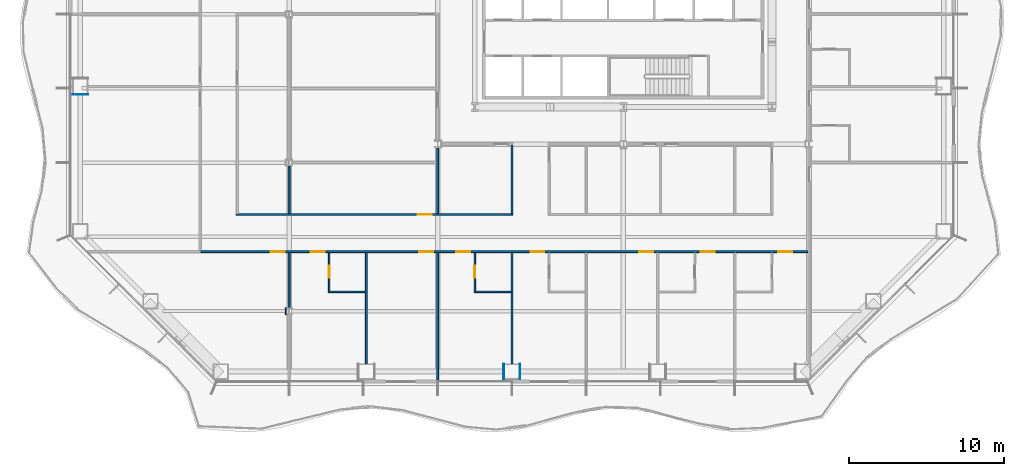
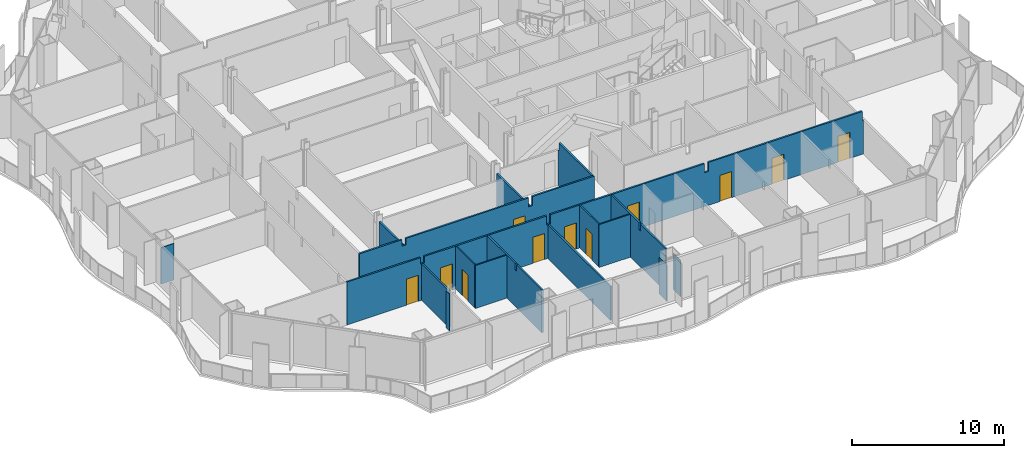
# One storey, part 6 of 21: 17 walls, 11 doors, 11 openings.
"""IFC4 building model written with IfcOpenShell, lengths in metres."""

from ifc_helpers import new_model, si_unit, direction, frame, frame_2d, origin, place, context, subcontext, project, spatial, polyline, rectangle, outline, extrude, material, layer, layer_set, type_object, element, fill, save


model = new_model("IFC4")

# Units and contexts
model_context = context("Model", 3, precision=1e-05, world=origin(), true_north=direction((0.0, 1.0)))
body_context = subcontext(model_context, "Body", "Model", "MODEL_VIEW")
ifc_project = project(units=[si_unit("LENGTHUNIT", "METRE"), si_unit("AREAUNIT", "SQUARE_METRE"), si_unit("VOLUMEUNIT", "CUBIC_METRE"), si_unit("PLANEANGLEUNIT", "RADIAN"), si_unit("MASSUNIT", "GRAM", prefix="KILO")], contexts=[model_context])

# Site, building, storey
site_placement = place(None, origin())
site = spatial("IfcSite", under=ifc_project, at=site_placement, CompositionType="ELEMENT")
building_placement = place(site_placement, origin())
building = spatial("IfcBuilding", under=site, at=building_placement, Name="Cairn Pilgrim Tower", CompositionType="ELEMENT")
storey_placement = place(building_placement, frame((0.0, 0.0, 47.39990234375)))
storey = spatial("IfcBuildingStorey", under=building, at=storey_placement, Name="L09", CompositionType="ELEMENT", Elevation=47.39990234375)

# Wall
ifc_material_1 = material(Name="Gypsum partition")
ifc_layer_1 = layer(ifc_material_1, 0.10009765625)
ifc_layer_set_1 = layer_set([ifc_layer_1], Name="PARTITION 100 DRYWALL")
wall_type_1 = type_object("IfcWallType", Name="PARTITION 100 DRYWALL", PredefinedType="PARTITIONING", material=ifc_layer_set_1)
wall_1_placement = place(storey_placement, frame((-11.864013671875, -17.949951171875, 0.0), z_axis=(0.0, 0.0, 1.0), x_axis=(1.0, 0.0, 0.0)))
element("IfcWall", 1, at=wall_1_placement, inside=storey, type_object=wall_type_1, Name="PARTITION W011", PredefinedType="PARTITIONING", context=body_context, shape_type="SweptSolid", body=[
    extrude(rectangle(XDim=2.387451171875, YDim=0.10009765625, at=frame_2d((1.19384765625, 0.0))), origin(), (0.0, 0.0, 1.0), 3.4501953125),
])

# Wall, opening, door
wall_2_placement = place(storey_placement, frame((-11.81396484375, -17.89990234375, 0.0), z_axis=(0.0, 0.0, 1.0), x_axis=(0.0, 1.0, 0.0)))
wall_2 = element("IfcWall", 2, at=wall_2_placement, inside=storey, type_object=wall_type_1, Name="PARTITION W012", PredefinedType="PARTITIONING", context=body_context, shape_type="SweptSolid", body=[
    extrude(rectangle(XDim=2.4873046875, YDim=0.10009765625, at=frame_2d((1.24365234375, 0.0))), origin(), (0.0, 0.0, 1.0), 3.4501953125),
])
opening_1_placement = place(wall_2_placement, frame((0.85009765625, 0.0, 0.0)))
opening_1 = element("IfcOpeningElement", 3, at=opening_1_placement, cuts=wall_2, Name="Opening 0902E", PredefinedType="OPENING", context=body_context, shape_type="SweptSolid", body=[
    extrude(rectangle(XDim=0.800048828125, YDim=2.10009765625, at=frame_2d((0.39990234375, 1.050048828125))), frame((0.0, 0.06005859375, 0.0), z_axis=(0.0, -1.0, 0.0), x_axis=(1.0, 0.0, 0.0)), (0.0, 0.0, 1.0), 0.1201171875),
])
ifc_material_2 = material(Name="Timber door leaf", Category="wood")
door_type_1 = type_object("IfcDoorType", Name="DOOR 800x2100", OperationType="NOTDEFINED", PredefinedType="DOOR", material=ifc_material_2)
door_1_placement = place(opening_1_placement, frame((0.800048828125, 0.0, 0.0), z_axis=(0.0, 0.0, 1.0), x_axis=(-1.0, 0.0, 0.0)))
door_1 = element("IfcDoor", 4, at=door_1_placement, inside=storey, type_object=door_type_1, Name="DOOR 0902E", OperationType="SINGLE_SWING_RIGHT", OverallHeight=2.10009765625, OverallWidth=0.800048828125, PredefinedType="DOOR", context=body_context, shape_type="SweptSolid", body=[
    extrude(rectangle(XDim=0.800048828125, YDim=2.10009765625, at=frame_2d((0.39990234375, 1.050048828125))), frame((0.0, 0.02490234375, 0.0), z_axis=(0.0, -1.0, 0.0), x_axis=(1.0, 0.0, 0.0)), (0.0, 0.0, 1.0), 0.050048828125),
])
fill(opening_1, door_1)

# Wall
wall_3_placement = place(storey_placement, frame((-2.449951171875, -17.949951171875, 0.0), z_axis=(0.0, 0.0, 1.0), x_axis=(1.0, 0.0, 0.0)))
element("IfcWall", 5, at=wall_3_placement, inside=storey, type_object=wall_type_1, Name="PARTITION W013", PredefinedType="PARTITIONING", context=body_context, shape_type="SweptSolid", body=[
    extrude(rectangle(XDim=2.387451171875, YDim=0.10009765625, at=frame_2d((1.19384765625, 0.0))), origin(), (0.0, 0.0, 1.0), 3.4501953125),
])

# Wall, opening, door
wall_4_placement = place(storey_placement, frame((-2.39990234375, -17.89990234375, 0.0), z_axis=(0.0, 0.0, 1.0), x_axis=(0.0, 1.0, 0.0)))
wall_4 = element("IfcWall", 6, at=wall_4_placement, inside=storey, type_object=wall_type_1, Name="PARTITION W014", PredefinedType="PARTITIONING", context=body_context, shape_type="SweptSolid", body=[
    extrude(rectangle(XDim=2.4873046875, YDim=0.10009765625, at=frame_2d((1.24365234375, 0.0))), origin(), (0.0, 0.0, 1.0), 3.4501953125),
])
opening_2_placement = place(wall_4_placement, frame((0.85009765625, 0.0, 0.0)))
opening_2 = element("IfcOpeningElement", 7, at=opening_2_placement, cuts=wall_4, Name="Opening 0904E", PredefinedType="OPENING", context=body_context, shape_type="SweptSolid", body=[
    extrude(rectangle(XDim=0.800048828125, YDim=2.10009765625, at=frame_2d((0.39990234375, 1.050048828125))), frame((0.0, 0.06005859375, 0.0), z_axis=(0.0, -1.0, 0.0), x_axis=(1.0, 0.0, 0.0)), (0.0, 0.0, 1.0), 0.1201171875),
])
door_2_placement = place(opening_2_placement, frame((0.800048828125, 0.0, 0.0), z_axis=(0.0, 0.0, 1.0), x_axis=(-1.0, 0.0, 0.0)))
door_2 = element("IfcDoor", 8, at=door_2_placement, inside=storey, type_object=door_type_1, Name="DOOR 0904E", OperationType="SINGLE_SWING_LEFT", OverallHeight=2.10009765625, OverallWidth=0.800048828125, PredefinedType="DOOR", context=body_context, shape_type="SweptSolid", body=[
    extrude(rectangle(XDim=0.800048828125, YDim=2.10009765625, at=frame_2d((0.39990234375, 1.050048828125))), frame((0.0, 0.02490234375, 0.0), z_axis=(0.0, -1.0, 0.0), x_axis=(1.0, 0.0, 0.0)), (0.0, 0.0, 1.0), 0.050048828125),
])
fill(opening_2, door_2)

# Walls
ifc_layer_2 = layer(ifc_material_1, 0.125)
ifc_layer_set_2 = layer_set([ifc_layer_2], Name="PARTITION 125 DRYWALL EI 60")
wall_type_2 = type_object("IfcWallType", Name="PARTITION 125 DRYWALL EI 60", PredefinedType="PARTITIONING", material=ifc_layer_set_2)
wall_5_placement = place(storey_placement, frame((-4.800048828125, -23.64990234375, 0.0), z_axis=(0.0, 0.0, 1.0), x_axis=(0.0, 1.0, 0.0)))
element("IfcWall", 9, at=wall_5_placement, inside=storey, type_object=wall_type_2, Name="PARTITION W002", PredefinedType="PARTITIONING", context=body_context, shape_type="SweptSolid", body=[
    extrude(rectangle(XDim=8.2373046875, YDim=0.125, at=frame_2d((4.11865234375, 0.0))), origin(), (0.0, 0.0, 1.0), 2.72998046875),
])
wall_6_placement = place(storey_placement, frame((-9.4140625, -22.60009765625, 0.0), z_axis=(0.0, 0.0, 1.0), x_axis=(0.0, 1.0, 0.0)))
element("IfcWall", 10, at=wall_6_placement, inside=storey, type_object=wall_type_2, Name="PARTITION W006", PredefinedType="PARTITIONING", context=body_context, shape_type="SweptSolid", body=[
    extrude(outline(polyline([(0.0, 0.0), (7.1875, 0.0), (7.1875, 3.4501953125), (3.5, 3.4501953125), (3.498046875, 2.93017578125), (3.300048828125, 2.93017578125), (3.298095703125, 3.4501953125), (0.0, 3.4501953125), (0.0, 0.0)])), frame((0.0, 0.0625, 0.0), z_axis=(0.0, -1.0, 0.0), x_axis=(1.0, 0.0, 0.0)), (0.0, 0.0, 1.0), 0.125),
])
wall_7_placement = place(storey_placement, frame((0.0, -22.60009765625, 0.0), z_axis=(0.0, 0.0, 1.0), x_axis=(0.0, 1.0, 0.0)))
element("IfcWall", 11, at=wall_7_placement, inside=storey, type_object=wall_type_2, Name="PARTITION W007", PredefinedType="PARTITIONING", context=body_context, shape_type="SweptSolid", body=[
    extrude(outline(polyline([(0.0, 0.0), (7.1875, 0.0), (7.1875, 3.4501953125), (3.5048828125, 3.4501953125), (3.5029296875, 2.880126953125), (3.294921875, 2.880126953125), (3.29296875, 3.4501953125), (0.0, 3.4501953125), (0.0, 0.0)])), frame((0.0, 0.0625, 0.0), z_axis=(0.0, -1.0, 0.0), x_axis=(1.0, 0.0, 0.0)), (0.0, 0.0, 1.0), 0.125),
])
wall_8_placement = place(storey_placement, frame((-14.39990234375, -18.987548828125, 0.0), z_axis=(0.0, 0.0, 1.0), x_axis=(0.0, 1.0, 0.0)))
element("IfcWall", 12, at=wall_8_placement, inside=storey, type_object=wall_type_2, Name="PARTITION W010", PredefinedType="PARTITIONING", context=body_context, shape_type="SweptSolid", body=[
    extrude(rectangle(XDim=3.574951171875, YDim=0.125, at=frame_2d((1.78759765625, 0.0))), origin(), (0.0, 0.0, 1.0), 2.93017578125),
])

# Wall, openings, doors
wall_9_placement = place(storey_placement, frame((-20.14990234375, -15.35009765625, 0.0), z_axis=(0.0, 0.0, 1.0), x_axis=(1.0, 0.0, 0.0)))
wall_9 = element("IfcWall", 13, at=wall_9_placement, inside=storey, type_object=wall_type_2, Name="PARTITION W022", PredefinedType="PARTITIONING", context=body_context, shape_type="SweptSolid", body=[
    extrude(outline(polyline([(0.0, 0.0), (39.287353515625, 0.0), (39.28759765625, 2.72998046875), (39.199951171875, 2.72998046875), (39.197998046875, 3.4501953125), (27.5, 3.4501953125), (27.498046875, 2.72998046875), (27.199951171875, 2.72998046875), (27.197998046875, 3.4501953125), (15.5, 3.4501953125), (15.498046875, 2.72998046875), (15.199951171875, 2.72998046875), (15.197998046875, 3.4501953125), (5.89990234375, 3.4501953125), (5.89794921875, 2.93017578125), (5.60009765625, 2.93017578125), (5.597900390625, 3.4501953125), (0.0, 3.4501953125), (0.0, 0.0)])), frame((0.0, 0.0625, 0.0), z_axis=(0.0, -1.0, 0.0), x_axis=(1.0, 0.0, 0.0)), (0.0, 0.0, 1.0), 0.125),
])
opening_3_placement = place(wall_9_placement, frame((4.550048828125, 0.0, 0.0)))
opening_3 = element("IfcOpeningElement", 14, at=opening_3_placement, cuts=wall_9, Name="Opening 0901", PredefinedType="OPENING", context=body_context, shape_type="SweptSolid", body=[
    extrude(rectangle(XDim=0.89990234375, YDim=2.10009765625, at=frame_2d((0.449951171875, 1.050048828125))), frame((0.0, 0.072509765625, 0.0), z_axis=(0.0, -1.0, 0.0), x_axis=(1.0, 0.0, 0.0)), (0.0, 0.0, 1.0), 0.14501953125),
])
opening_4_placement = place(wall_9_placement, frame((7.135986328125, 0.0, 0.0)))
opening_4 = element("IfcOpeningElement", 15, at=opening_4_placement, cuts=wall_9, Name="Opening 0902", PredefinedType="OPENING", context=body_context, shape_type="SweptSolid", body=[
    extrude(rectangle(XDim=0.89990234375, YDim=2.10009765625, at=frame_2d((0.449951171875, 1.050048828125))), frame((0.0, 0.072509765625, 0.0), z_axis=(0.0, -1.0, 0.0), x_axis=(1.0, 0.0, 0.0)), (0.0, 0.0, 1.0), 0.14501953125),
])
opening_5_placement = place(wall_9_placement, frame((14.14990234375, 0.0, 0.0)))
opening_5 = element("IfcOpeningElement", 16, at=opening_5_placement, cuts=wall_9, Name="Opening 0903", PredefinedType="OPENING", context=body_context, shape_type="SweptSolid", body=[
    extrude(rectangle(XDim=0.89990234375, YDim=2.10009765625, at=frame_2d((0.449951171875, 1.050048828125))), frame((0.0, 0.072509765625, 0.0), z_axis=(0.0, -1.0, 0.0), x_axis=(1.0, 0.0, 0.0)), (0.0, 0.0, 1.0), 0.14501953125),
])
opening_6_placement = place(wall_9_placement, frame((16.550048828125, 0.0, 0.0)))
opening_6 = element("IfcOpeningElement", 17, at=opening_6_placement, cuts=wall_9, Name="Opening 0904", PredefinedType="OPENING", context=body_context, shape_type="SweptSolid", body=[
    extrude(rectangle(XDim=0.89990234375, YDim=2.10009765625, at=frame_2d((0.449951171875, 1.050048828125))), frame((0.0, 0.072509765625, 0.0), z_axis=(0.0, -1.0, 0.0), x_axis=(1.0, 0.0, 0.0)), (0.0, 0.0, 1.0), 0.14501953125),
])
opening_7_placement = place(wall_9_placement, frame((21.35009765625, 0.0, 0.0)))
opening_7 = element("IfcOpeningElement", 18, at=opening_7_placement, cuts=wall_9, Name="Opening 0905", PredefinedType="OPENING", context=body_context, shape_type="SweptSolid", body=[
    extrude(rectangle(XDim=0.89990234375, YDim=2.10009765625, at=frame_2d((0.449951171875, 1.050048828125))), frame((0.0, 0.072509765625, 0.0), z_axis=(0.0, -1.0, 0.0), x_axis=(1.0, 0.0, 0.0)), (0.0, 0.0, 1.0), 0.14501953125),
])
opening_8_placement = place(wall_9_placement, frame((28.364013671875, 0.0, 0.0)))
opening_8 = element("IfcOpeningElement", 19, at=opening_8_placement, cuts=wall_9, Name="Opening 0906", PredefinedType="OPENING", context=body_context, shape_type="SweptSolid", body=[
    extrude(rectangle(XDim=0.89990234375, YDim=2.10009765625, at=frame_2d((0.449951171875, 1.050048828125))), frame((0.0, 0.072509765625, 0.0), z_axis=(0.0, -1.0, 0.0), x_axis=(1.0, 0.0, 0.0)), (0.0, 0.0, 1.0), 0.14501953125),
])
opening_9_placement = place(wall_9_placement, frame((32.35009765625, 0.0, 0.0)))
opening_9 = element("IfcOpeningElement", 20, at=opening_9_placement, cuts=wall_9, Name="Opening 0907", PredefinedType="OPENING", context=body_context, shape_type="SweptSolid", body=[
    extrude(rectangle(XDim=0.89990234375, YDim=2.10009765625, at=frame_2d((0.449951171875, 1.050048828125))), frame((0.0, 0.072509765625, 0.0), z_axis=(0.0, -1.0, 0.0), x_axis=(1.0, 0.0, 0.0)), (0.0, 0.0, 1.0), 0.14501953125),
])
opening_10_placement = place(wall_9_placement, frame((37.35009765625, 0.0, 0.0)))
opening_10 = element("IfcOpeningElement", 21, at=opening_10_placement, cuts=wall_9, Name="Opening 0908", PredefinedType="OPENING", context=body_context, shape_type="SweptSolid", body=[
    extrude(rectangle(XDim=0.89990234375, YDim=2.10009765625, at=frame_2d((0.449951171875, 1.050048828125))), frame((0.0, 0.072509765625, 0.0), z_axis=(0.0, -1.0, 0.0), x_axis=(1.0, 0.0, 0.0)), (0.0, 0.0, 1.0), 0.14501953125),
])
ifc_material_3 = material(Name="Steel-faced fire door leaf", Category="steel")
door_type_2 = type_object("IfcDoorType", Name="FIRE DOOR 900x2100 FD30S", OperationType="NOTDEFINED", PredefinedType="DOOR", material=ifc_material_3)
door_3_placement = place(opening_3_placement, frame((0.89990234375, 0.0, 0.0), z_axis=(0.0, 0.0, 1.0), x_axis=(-1.0, 0.0, 0.0)))
door_3 = element("IfcDoor", 22, at=door_3_placement, inside=storey, type_object=door_type_2, Name="DOOR 0901", OperationType="SINGLE_SWING_RIGHT", OverallHeight=2.10009765625, OverallWidth=0.89990234375, PredefinedType="DOOR", context=body_context, shape_type="SweptSolid", body=[
    extrude(rectangle(XDim=0.89990234375, YDim=2.10009765625, at=frame_2d((0.449951171875, 1.050048828125))), frame((0.0, 0.02490234375, 0.0), z_axis=(0.0, -1.0, 0.0), x_axis=(1.0, 0.0, 0.0)), (0.0, 0.0, 1.0), 0.050048828125),
])
fill(opening_3, door_3)
door_4_placement = place(opening_4_placement, frame((0.89990234375, 0.0, 0.0), z_axis=(0.0, 0.0, 1.0), x_axis=(-1.0, 0.0, 0.0)))
door_4 = element("IfcDoor", 23, at=door_4_placement, inside=storey, type_object=door_type_2, Name="DOOR 0902", OperationType="SINGLE_SWING_LEFT", OverallHeight=2.10009765625, OverallWidth=0.89990234375, PredefinedType="DOOR", context=body_context, shape_type="SweptSolid", body=[
    extrude(rectangle(XDim=0.89990234375, YDim=2.10009765625, at=frame_2d((0.449951171875, 1.050048828125))), frame((0.0, 0.02490234375, 0.0), z_axis=(0.0, -1.0, 0.0), x_axis=(1.0, 0.0, 0.0)), (0.0, 0.0, 1.0), 0.050048828125),
])
fill(opening_4, door_4)
door_5_placement = place(opening_5_placement, frame((0.89990234375, 0.0, 0.0), z_axis=(0.0, 0.0, 1.0), x_axis=(-1.0, 0.0, 0.0)))
door_5 = element("IfcDoor", 24, at=door_5_placement, inside=storey, type_object=door_type_2, Name="DOOR 0903", OperationType="SINGLE_SWING_LEFT", OverallHeight=2.10009765625, OverallWidth=0.89990234375, PredefinedType="DOOR", context=body_context, shape_type="SweptSolid", body=[
    extrude(rectangle(XDim=0.89990234375, YDim=2.10009765625, at=frame_2d((0.449951171875, 1.050048828125))), frame((0.0, 0.02490234375, 0.0), z_axis=(0.0, -1.0, 0.0), x_axis=(1.0, 0.0, 0.0)), (0.0, 0.0, 1.0), 0.050048828125),
])
fill(opening_5, door_5)
door_6_placement = place(opening_6_placement, frame((0.89990234375, 0.0, 0.0), z_axis=(0.0, 0.0, 1.0), x_axis=(-1.0, 0.0, 0.0)))
door_6 = element("IfcDoor", 25, at=door_6_placement, inside=storey, type_object=door_type_2, Name="DOOR 0904", OperationType="SINGLE_SWING_RIGHT", OverallHeight=2.10009765625, OverallWidth=0.89990234375, PredefinedType="DOOR", context=body_context, shape_type="SweptSolid", body=[
    extrude(rectangle(XDim=0.89990234375, YDim=2.10009765625, at=frame_2d((0.449951171875, 1.050048828125))), frame((0.0, 0.02490234375, 0.0), z_axis=(0.0, -1.0, 0.0), x_axis=(1.0, 0.0, 0.0)), (0.0, 0.0, 1.0), 0.050048828125),
])
fill(opening_6, door_6)
door_7_placement = place(opening_7_placement, frame((0.89990234375, 0.0, 0.0), z_axis=(0.0, 0.0, 1.0), x_axis=(-1.0, 0.0, 0.0)))
door_7 = element("IfcDoor", 26, at=door_7_placement, inside=storey, type_object=door_type_2, Name="DOOR 0905", OperationType="SINGLE_SWING_RIGHT", OverallHeight=2.10009765625, OverallWidth=0.89990234375, PredefinedType="DOOR", context=body_context, shape_type="SweptSolid", body=[
    extrude(rectangle(XDim=0.89990234375, YDim=2.10009765625, at=frame_2d((0.449951171875, 1.050048828125))), frame((0.0, 0.02490234375, 0.0), z_axis=(0.0, -1.0, 0.0), x_axis=(1.0, 0.0, 0.0)), (0.0, 0.0, 1.0), 0.050048828125),
])
fill(opening_7, door_7)
door_8_placement = place(opening_8_placement, frame((0.89990234375, 0.0, 0.0), z_axis=(0.0, 0.0, 1.0), x_axis=(-1.0, 0.0, 0.0)))
door_8 = element("IfcDoor", 27, at=door_8_placement, inside=storey, type_object=door_type_2, Name="DOOR 0906", OperationType="SINGLE_SWING_RIGHT", OverallHeight=2.10009765625, OverallWidth=0.89990234375, PredefinedType="DOOR", context=body_context, shape_type="SweptSolid", body=[
    extrude(rectangle(XDim=0.89990234375, YDim=2.10009765625, at=frame_2d((0.449951171875, 1.050048828125))), frame((0.0, 0.02490234375, 0.0), z_axis=(0.0, -1.0, 0.0), x_axis=(1.0, 0.0, 0.0)), (0.0, 0.0, 1.0), 0.050048828125),
])
fill(opening_8, door_8)
door_9_placement = place(opening_9_placement, frame((0.89990234375, 0.0, 0.0), z_axis=(0.0, 0.0, 1.0), x_axis=(-1.0, 0.0, 0.0)))
door_9 = element("IfcDoor", 28, at=door_9_placement, inside=storey, type_object=door_type_2, Name="DOOR 0907", OperationType="SINGLE_SWING_LEFT", OverallHeight=2.10009765625, OverallWidth=0.89990234375, PredefinedType="DOOR", context=body_context, shape_type="SweptSolid", body=[
    extrude(rectangle(XDim=0.89990234375, YDim=2.10009765625, at=frame_2d((0.449951171875, 1.050048828125))), frame((0.0, 0.02490234375, 0.0), z_axis=(0.0, -1.0, 0.0), x_axis=(1.0, 0.0, 0.0)), (0.0, 0.0, 1.0), 0.050048828125),
])
fill(opening_9, door_9)
door_10_placement = place(opening_10_placement, frame((0.89990234375, 0.0, 0.0), z_axis=(0.0, 0.0, 1.0), x_axis=(-1.0, 0.0, 0.0)))
door_10 = element("IfcDoor", 29, at=door_10_placement, inside=storey, type_object=door_type_2, Name="DOOR 0908", OperationType="SINGLE_SWING_LEFT", OverallHeight=2.10009765625, OverallWidth=0.89990234375, PredefinedType="DOOR", context=body_context, shape_type="SweptSolid", body=[
    extrude(rectangle(XDim=0.89990234375, YDim=2.10009765625, at=frame_2d((0.449951171875, 1.050048828125))), frame((0.0, 0.02490234375, 0.0), z_axis=(0.0, -1.0, 0.0), x_axis=(1.0, 0.0, 0.0)), (0.0, 0.0, 1.0), 0.050048828125),
])
fill(opening_10, door_10)

# Wall, opening, door
wall_10_placement = place(storey_placement, frame((-17.8125, -12.949951171875, 0.0), z_axis=(0.0, 0.0, 1.0), x_axis=(1.0, 0.0, 0.0)))
wall_10 = element("IfcWall", 30, at=wall_10_placement, inside=storey, type_object=wall_type_2, Name="PARTITION W025", PredefinedType="PARTITIONING", context=body_context, shape_type="SweptSolid", body=[
    extrude(outline(polyline([(0.0, 0.0), (17.875, 0.0), (17.875, 3.4501953125), (13.16259765625, 3.4501953125), (13.160400390625, 2.72998046875), (12.862548828125, 2.72998046875), (12.860595703125, 3.4501953125), (3.5625, 3.4501953125), (3.560546875, 2.93017578125), (3.262451171875, 2.93017578125), (3.260498046875, 3.4501953125), (0.0, 3.4501953125), (0.0, 0.0)])), frame((0.0, 0.0625, 0.0), z_axis=(0.0, -1.0, 0.0), x_axis=(1.0, 0.0, 0.0)), (0.0, 0.0, 1.0), 0.125),
])
opening_11_placement = place(wall_10_placement, frame((11.71240234375, 0.0, 0.0)))
opening_11 = element("IfcOpeningElement", 31, at=opening_11_placement, cuts=wall_10, Name="Opening 0927", PredefinedType="OPENING", context=body_context, shape_type="SweptSolid", body=[
    extrude(rectangle(XDim=0.89990234375, YDim=2.10009765625, at=frame_2d((0.449951171875, 1.050048828125))), frame((0.0, 0.072509765625, 0.0), z_axis=(0.0, -1.0, 0.0), x_axis=(1.0, 0.0, 0.0)), (0.0, 0.0, 1.0), 0.14501953125),
])
door_11_placement = place(opening_11_placement, origin())
door_11 = element("IfcDoor", 32, at=door_11_placement, inside=storey, type_object=door_type_2, Name="DOOR 0927", OperationType="SINGLE_SWING_RIGHT", OverallHeight=2.10009765625, OverallWidth=0.89990234375, PredefinedType="DOOR", context=body_context, shape_type="SweptSolid", body=[
    extrude(rectangle(XDim=0.89990234375, YDim=2.10009765625, at=frame_2d((0.449951171875, 1.050048828125))), frame((0.0, 0.02490234375, 0.0), z_axis=(0.0, -1.0, 0.0), x_axis=(1.0, 0.0, 0.0)), (0.0, 0.0, 1.0), 0.050048828125),
])
fill(opening_11, door_11)

# Walls
wall_11_placement = place(storey_placement, frame((-14.39990234375, -12.887451171875, 0.0), z_axis=(0.0, 0.0, 1.0), x_axis=(0.0, 1.0, 0.0)))
element("IfcWall", 33, at=wall_11_placement, inside=storey, type_object=wall_type_2, Name="PARTITION W028", PredefinedType="PARTITIONING", context=body_context, shape_type="SweptSolid", body=[
    extrude(rectangle(XDim=3.074951171875, YDim=0.125, at=frame_2d((1.53759765625, 0.0))), origin(), (0.0, 0.0, 1.0), 2.93017578125),
])
wall_12_placement = place(storey_placement, frame((-4.800048828125, -12.887451171875, 0.0), z_axis=(0.0, 0.0, 1.0), x_axis=(0.0, 1.0, 0.0)))
element("IfcWall", 34, at=wall_12_placement, inside=storey, type_object=wall_type_2, Name="PARTITION W029", PredefinedType="PARTITIONING", context=body_context, shape_type="SweptSolid", body=[
    extrude(rectangle(XDim=4.25048828125, YDim=0.125, at=frame_2d((2.125244140625, 0.0))), origin(), (0.0, 0.0, 1.0), 2.72998046875),
])
wall_13_placement = place(storey_placement, frame((0.0, -12.887451171875, 0.0), z_axis=(0.0, 0.0, 1.0), x_axis=(0.0, 1.0, 0.0)))
element("IfcWall", 35, at=wall_13_placement, inside=storey, type_object=wall_type_2, Name="PARTITION W030", PredefinedType="PARTITIONING", context=body_context, shape_type="SweptSolid", body=[
    extrude(outline(polyline([(0.0, 0.0), (4.425048828125, 0.0), (4.425048828125, 2.830078125), (4.33740234375, 2.830078125), (4.33544921875, 3.4501953125), (0.0, 3.4501953125), (0.0, 0.0)])), frame((0.0, 0.0625, 0.0), z_axis=(0.0, -1.0, 0.0), x_axis=(1.0, 0.0, 0.0)), (0.0, 0.0, 1.0), 0.125),
])
ifc_layer_3 = layer(ifc_material_1, 0.050048828125)
ifc_layer_set_3 = layer_set([ifc_layer_3], Name="PARTITION 50 DRYWALL EI 60")
wall_type_3 = type_object("IfcWallType", Name="PARTITION 50 DRYWALL EI 60", PredefinedType="PARTITIONING", material=ifc_layer_set_3)
wall_14_placement = place(storey_placement, frame((-14.62939453125, -19.41259765625, 0.0), z_axis=(0.0, 0.0, 1.0), x_axis=(0.0, 1.0, 0.0)))
element("IfcWall", 36, at=wall_14_placement, inside=storey, type_object=wall_type_3, Name="COLUMN CASING WC01", PredefinedType="PARTITIONING", context=body_context, shape_type="SweptSolid", body=[
    extrude(rectangle(XDim=0.425048828125, YDim=0.050048828125, at=frame_2d((0.21240234375, 0.0))), origin(), (0.0, 0.0, 1.0), 2.97998046875),
])
for number, where, z_axis, x_axis, name in (
    (37, (-0.52490234375, -23.60009765625, 0.0), (0.0, 0.0, 1.0), (0.0, 1.0, 0.0), "COLUMN CASING WC02"),
    (38, (0.52490234375, -23.60009765625, 0.0), (0.0, 0.0, 1.0), (0.0, 1.0, 0.0), "COLUMN CASING WC03"),
    (39, (-28.39990234375, -5.20068359375, 0.0), (0.0, 0.0, 1.0), (1.0, 0.0, 0.0), "COLUMN CASING WC19"),
):
    element("IfcWall", number, at=place(storey_placement, frame(where, z_axis=z_axis, x_axis=x_axis)), inside=storey, type_object=wall_type_3, Name=name, PredefinedType="PARTITIONING", context=body_context, shape_type="SweptSolid", body=[
        extrude(rectangle(XDim=1.0, YDim=0.050048828125, at=frame_2d((0.5, 0.0))), origin(), (0.0, 0.0, 1.0), 2.93017578125),
    ])

save(model, "model.ifc")
